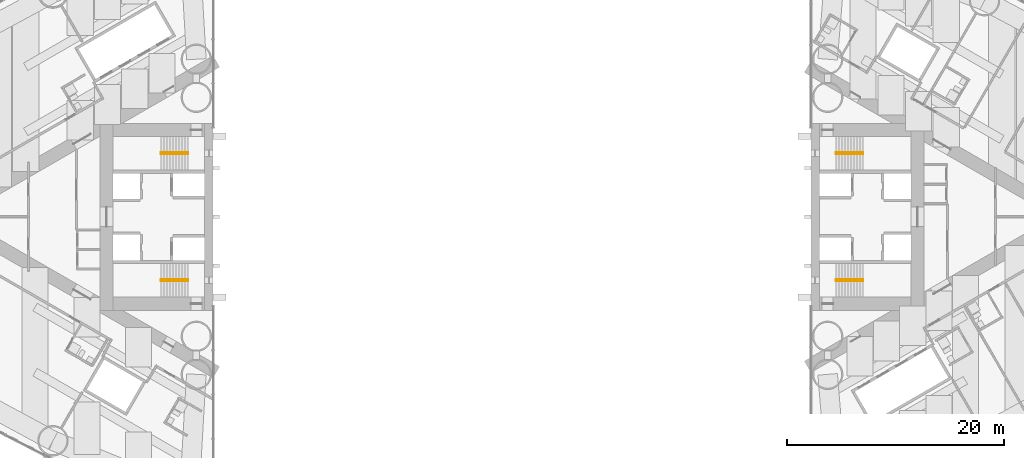
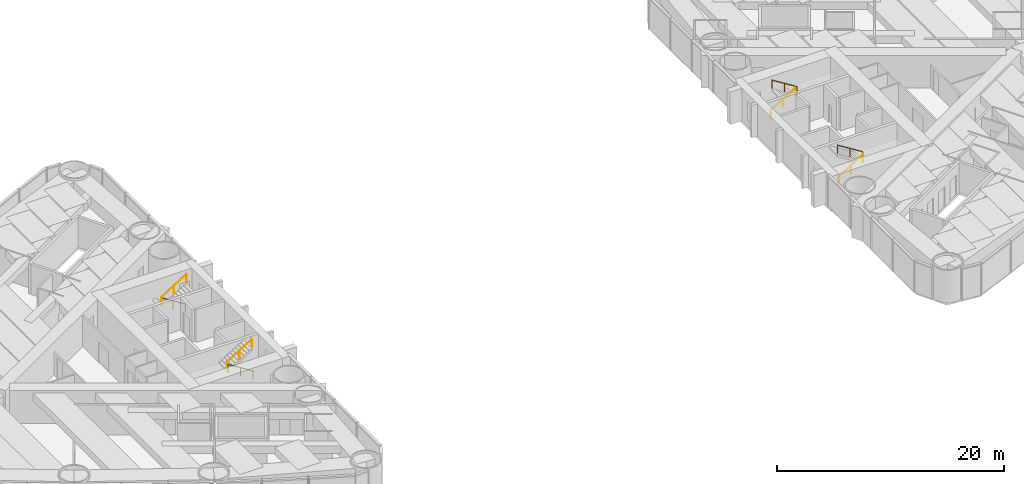
# One storey, part 17 of 18: 8 railings.
"""IFC4 building model written with IfcOpenShell, lengths in metres."""

from ifc_helpers import new_model, si_unit, direction, frame, origin, origin_2d, place, context, subcontext, project, spatial, circle, extrude, material, type_object, element, save


model = new_model("IFC4")

# Units and contexts
model_context = context("Model", 3, precision=1e-05, world=origin(), true_north=direction((0.0, 1.0)))
body_context = subcontext(model_context, "Body", "Model", "MODEL_VIEW")
ifc_project = project(units=[si_unit("LENGTHUNIT", "METRE"), si_unit("AREAUNIT", "SQUARE_METRE"), si_unit("VOLUMEUNIT", "CUBIC_METRE"), si_unit("PLANEANGLEUNIT", "RADIAN"), si_unit("MASSUNIT", "GRAM", prefix="KILO")], contexts=[model_context])

# Site, building, storey
site_placement = place(None, origin())
site = spatial("IfcSite", under=ifc_project, at=site_placement, CompositionType="ELEMENT")
building_placement = place(site_placement, origin())
building = spatial("IfcBuilding", under=site, at=building_placement, Name="Lancet Gate Hotel", CompositionType="ELEMENT")
storey_placement = place(building_placement, frame((0.0, 0.0, 49.5)))
storey = spatial("IfcBuildingStorey", under=building, at=storey_placement, Name="L12", CompositionType="ELEMENT", Elevation=49.5)

# Railings
ifc_material = material(Name="Stainless steel handrail", Category="steel")
railing_type = type_object("IfcRailingType", Name="Stair handrail 900", PredefinedType="HANDRAIL", material=ifc_material)
railing_1_placement = place(storey_placement, frame((-29.800048828125, 5.929931640625, 0.175048828125)))
element("IfcRailing", 1, at=railing_1_placement, inside=storey, type_object=railing_type, Name="ST1 handrail flight 1 L12", PredefinedType="HANDRAIL", context=body_context, shape_type="SweptSolid", body=[
    extrude(circle(Radius=0.02392578125, at=origin_2d()), frame((0.0, 0.0, 0.8759765625), z_axis=(-0.848007534815, 0.0, 0.529984170421), x_axis=(0.0, -1.0, 0.0)), (0.0, 0.0, 1.0), 2.9716796875),
    extrude(circle(Radius=0.02099609375, at=origin_2d()), origin(), (0.0, 0.0, 1.0), 0.851806640625),
    extrude(circle(Radius=0.02099609375, at=origin_2d()), frame((-1.260009765625, 0.0, 0.78759765625)), (0.0, 0.0, 1.0), 0.851806640625),
    extrude(circle(Radius=0.02099609375, at=origin_2d()), frame((-2.52001953125, 0.0, 1.574951171875)), (0.0, 0.0, 1.0), 0.851806640625),
])
railing_2_placement = place(storey_placement, frame((-32.320068359375, 5.77001953125, 1.925048828125)))
element("IfcRailing", 2, at=railing_2_placement, inside=storey, type_object=railing_type, Name="ST1 handrail flight 2 L12", PredefinedType="HANDRAIL", context=body_context, shape_type="SweptSolid", body=[
    extrude(circle(Radius=0.02392578125, at=origin_2d()), frame((0.0, 0.0, 0.8759765625), z_axis=(0.848007534815, 0.0, 0.529984170421), x_axis=(0.0, 1.0, 0.0)), (0.0, 0.0, 1.0), 2.9716796875),
    extrude(circle(Radius=0.02099609375, at=origin_2d()), origin(), (0.0, 0.0, 1.0), 0.851806640625),
    extrude(circle(Radius=0.02099609375, at=origin_2d()), frame((1.260009765625, 0.0, 0.78759765625)), (0.0, 0.0, 1.0), 0.851806640625),
    extrude(circle(Radius=0.02099609375, at=origin_2d()), frame((2.52001953125, 0.0, 1.574951171875)), (0.0, 0.0, 1.0), 0.851806640625),
])
railing_3_placement = place(storey_placement, frame((-29.800048828125, -5.929931640625, 0.175048828125)))
element("IfcRailing", 3, at=railing_3_placement, inside=storey, type_object=railing_type, Name="ST2 handrail flight 1 L12", PredefinedType="HANDRAIL", context=body_context, shape_type="SweptSolid", body=[
    extrude(circle(Radius=0.02392578125, at=origin_2d()), frame((0.0, 0.0, 0.8759765625), z_axis=(-0.848007534815, 0.0, 0.529984170421), x_axis=(0.0, -1.0, 0.0)), (0.0, 0.0, 1.0), 2.9716796875),
    extrude(circle(Radius=0.02099609375, at=origin_2d()), origin(), (0.0, 0.0, 1.0), 0.851806640625),
    extrude(circle(Radius=0.02099609375, at=origin_2d()), frame((-1.260009765625, 0.0, 0.78759765625)), (0.0, 0.0, 1.0), 0.851806640625),
    extrude(circle(Radius=0.02099609375, at=origin_2d()), frame((-2.52001953125, 0.0, 1.574951171875)), (0.0, 0.0, 1.0), 0.851806640625),
])
for number, where, name in (
    (4, (-32.320068359375, -5.77001953125, 1.925048828125), "ST2 handrail flight 2 L12"),
    (5, (29.800048828125, -5.929931640625, 0.175048828125), "ST3 handrail flight 1 L12"),
):
    element("IfcRailing", number, at=place(storey_placement, frame(where)), inside=storey, type_object=railing_type, Name=name, PredefinedType="HANDRAIL", context=body_context, shape_type="SweptSolid", body=[
        extrude(circle(Radius=0.02392578125, at=origin_2d()), frame((0.0, 0.0, 0.8759765625), z_axis=(0.848007534815, 0.0, 0.529984170421), x_axis=(0.0, 1.0, 0.0)), (0.0, 0.0, 1.0), 2.9716796875),
        extrude(circle(Radius=0.02099609375, at=origin_2d()), origin(), (0.0, 0.0, 1.0), 0.851806640625),
        extrude(circle(Radius=0.02099609375, at=origin_2d()), frame((1.260009765625, 0.0, 0.78759765625)), (0.0, 0.0, 1.0), 0.851806640625),
        extrude(circle(Radius=0.02099609375, at=origin_2d()), frame((2.52001953125, 0.0, 1.574951171875)), (0.0, 0.0, 1.0), 0.851806640625),
    ])
railing_4_placement = place(storey_placement, frame((32.320068359375, -5.77001953125, 1.925048828125)))
element("IfcRailing", 6, at=railing_4_placement, inside=storey, type_object=railing_type, Name="ST3 handrail flight 2 L12", PredefinedType="HANDRAIL", context=body_context, shape_type="SweptSolid", body=[
    extrude(circle(Radius=0.02392578125, at=origin_2d()), frame((0.0, 0.0, 0.8759765625), z_axis=(-0.848007534815, 0.0, 0.529984170421), x_axis=(0.0, -1.0, 0.0)), (0.0, 0.0, 1.0), 2.9716796875),
    extrude(circle(Radius=0.02099609375, at=origin_2d()), origin(), (0.0, 0.0, 1.0), 0.851806640625),
    extrude(circle(Radius=0.02099609375, at=origin_2d()), frame((-1.260009765625, 0.0, 0.78759765625)), (0.0, 0.0, 1.0), 0.851806640625),
    extrude(circle(Radius=0.02099609375, at=origin_2d()), frame((-2.52001953125, 0.0, 1.574951171875)), (0.0, 0.0, 1.0), 0.851806640625),
])
railing_5_placement = place(storey_placement, frame((29.800048828125, 5.929931640625, 0.175048828125)))
element("IfcRailing", 7, at=railing_5_placement, inside=storey, type_object=railing_type, Name="ST4 handrail flight 1 L12", PredefinedType="HANDRAIL", context=body_context, shape_type="SweptSolid", body=[
    extrude(circle(Radius=0.02392578125, at=origin_2d()), frame((0.0, 0.0, 0.8759765625), z_axis=(0.848007534815, 0.0, 0.529984170421), x_axis=(0.0, 1.0, 0.0)), (0.0, 0.0, 1.0), 2.9716796875),
    extrude(circle(Radius=0.02099609375, at=origin_2d()), origin(), (0.0, 0.0, 1.0), 0.851806640625),
    extrude(circle(Radius=0.02099609375, at=origin_2d()), frame((1.260009765625, 0.0, 0.78759765625)), (0.0, 0.0, 1.0), 0.851806640625),
    extrude(circle(Radius=0.02099609375, at=origin_2d()), frame((2.52001953125, 0.0, 1.574951171875)), (0.0, 0.0, 1.0), 0.851806640625),
])
railing_6_placement = place(storey_placement, frame((32.320068359375, 5.77001953125, 1.925048828125)))
element("IfcRailing", 8, at=railing_6_placement, inside=storey, type_object=railing_type, Name="ST4 handrail flight 2 L12", PredefinedType="HANDRAIL", context=body_context, shape_type="SweptSolid", body=[
    extrude(circle(Radius=0.02392578125, at=origin_2d()), frame((0.0, 0.0, 0.8759765625), z_axis=(-0.848007534815, 0.0, 0.529984170421), x_axis=(0.0, -1.0, 0.0)), (0.0, 0.0, 1.0), 2.9716796875),
    extrude(circle(Radius=0.02099609375, at=origin_2d()), origin(), (0.0, 0.0, 1.0), 0.851806640625),
    extrude(circle(Radius=0.02099609375, at=origin_2d()), frame((-1.260009765625, 0.0, 0.78759765625)), (0.0, 0.0, 1.0), 0.851806640625),
    extrude(circle(Radius=0.02099609375, at=origin_2d()), frame((-2.52001953125, 0.0, 1.574951171875)), (0.0, 0.0, 1.0), 0.851806640625),
])

save(model, "model.ifc")
